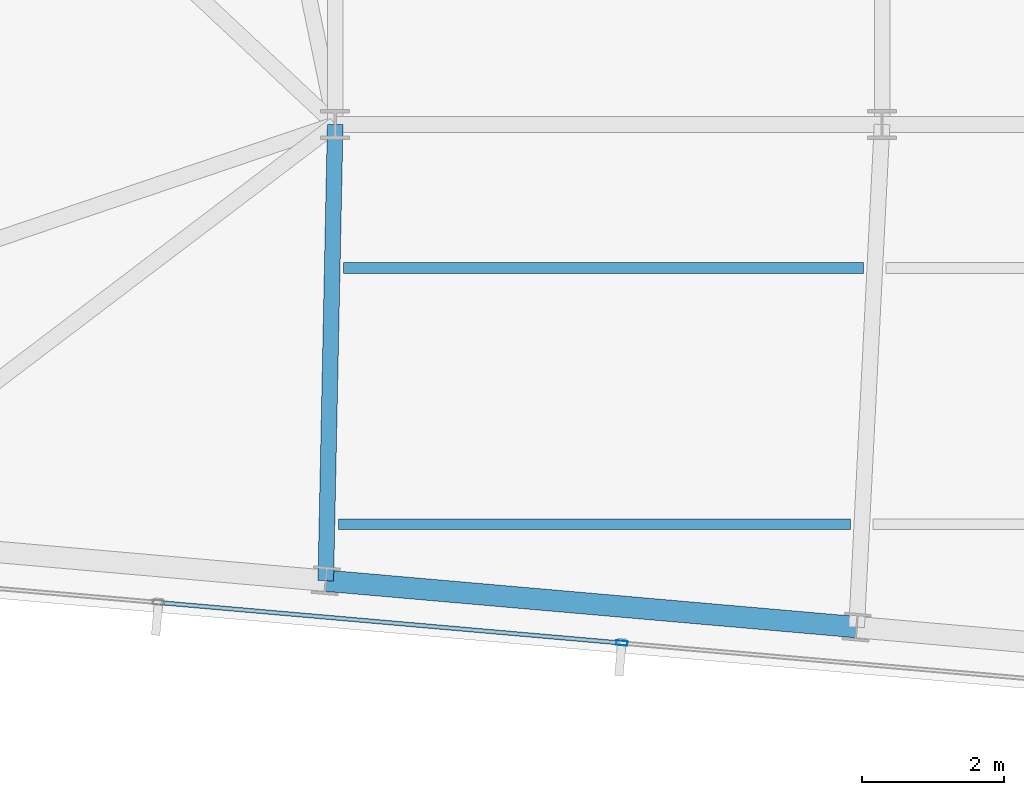
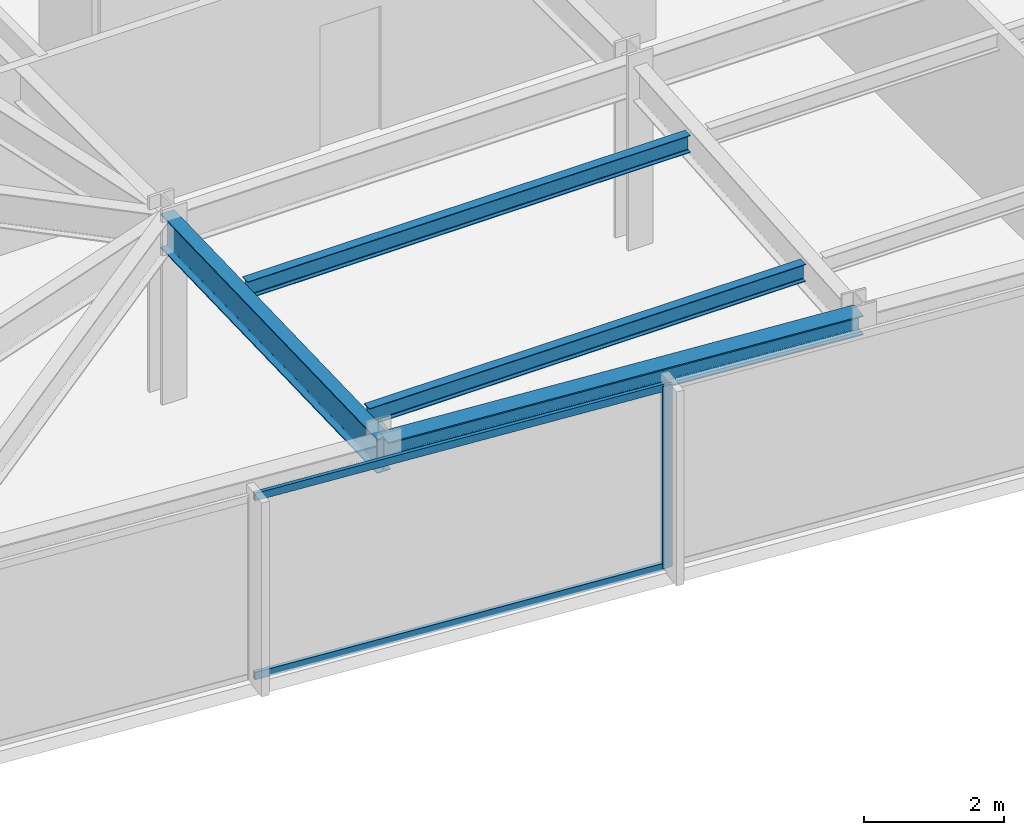
# One storey, part 6 of 32: 4 beams, 3 members, 1 element without a shape of its own.
"""IFC4 building model written with IfcOpenShell, lengths in metres."""

from ifc_helpers import new_model, si_unit, direction, frame, origin, origin_2d, place, context, subcontext, project, spatial, hollow_rectangle, i_section, extrude, material, material_profile, profile_set, type_object, element, aggregate, save


model = new_model("IFC4")

# Units and contexts
model_context = context("Model", 3, precision=1e-05, world=origin(), true_north=direction((0.0, 1.0)))
body_context = subcontext(model_context, "Body", "Model", "MODEL_VIEW")
ifc_project = project(units=[si_unit("LENGTHUNIT", "METRE"), si_unit("AREAUNIT", "SQUARE_METRE"), si_unit("VOLUMEUNIT", "CUBIC_METRE"), si_unit("PLANEANGLEUNIT", "RADIAN"), si_unit("MASSUNIT", "GRAM", prefix="KILO")], contexts=[model_context])

# Site, building, storey
site_placement = place(None, origin())
site = spatial("IfcSite", under=ifc_project, at=site_placement, CompositionType="ELEMENT")
building_placement = place(site_placement, origin())
building = spatial("IfcBuilding", under=site, at=building_placement, Name="Yelkora Congress Tower", CompositionType="ELEMENT")
storey_placement = place(building_placement, frame((0.0, 0.0, 293.10009765625)))
storey = spatial("IfcBuildingStorey", under=building, at=storey_placement, Name="L82", CompositionType="ELEMENT", Elevation=293.10009765625)

# Beams
ifc_material_1 = material(Name="Steel S355J2", Category="steel")
ifc_material_profile_1 = material_profile(ifc_material_1, i_section(OverallWidth=0.219970703125, OverallDepth=0.60009765625, WebThickness=0.011962890625, FlangeThickness=0.01904296875, FilletRadius=0.02392578125, at=origin_2d()), Name="IPE 600")
ifc_profile_set_1 = profile_set([ifc_material_profile_1], Name="Steel S355J2")
beam_type_1 = type_object("IfcBeamType", Name="BM-GIRD-IPE600", PredefinedType="BEAM", material=ifc_profile_set_1)
beam_1_placement = place(storey_placement, frame((22.90771484375, 18.793212890625, 2.8798828125), z_axis=(0.020649509667, 0.999786776143, 0.0), x_axis=(-0.999786776143, 0.020649509667, 0.0)))
element("IfcBeam", 1, at=beam_1_placement, inside=storey, type_object=beam_type_1, Name="L82 Primary Frame Girder S03", PredefinedType="BEAM", context=body_context, shape_type="SweptSolid", body=[
    extrude(i_section(OverallWidth=0.219970703125, OverallDepth=0.60009765625, WebThickness=0.011962890625, FlangeThickness=0.01904296875, FilletRadius=0.02392578125, at=origin_2d()), origin(), (0.0, 0.0, 1.0), 6.408203125),
])
ifc_material_profile_2 = material_profile(ifc_material_1, i_section(OverallWidth=0.14990234375, OverallDepth=0.300048828125, WebThickness=0.007080078125, FlangeThickness=0.0107421875, FilletRadius=0.014892578125, at=origin_2d()), Name="IPE 300")
ifc_profile_set_2 = profile_set([ifc_material_profile_2], Name="Steel S355J2")
beam_type_2 = type_object("IfcBeamType", Name="BM-JOIST-IPE300", PredefinedType="JOIST", material=ifc_profile_set_2)
beam_2_placement = place(storey_placement, frame((23.083984375, 19.58447265625, 3.02978515625), z_axis=(1.0, 0.0, 0.0), x_axis=(0.0, 1.0, 0.0)))
element("IfcBeam", 2, at=beam_2_placement, inside=storey, type_object=beam_type_2, Name="L82 Composite Floor Joist 1", PredefinedType="JOIST", context=body_context, shape_type="SweptSolid", body=[
    extrude(i_section(OverallWidth=0.14990234375, OverallDepth=0.300048828125, WebThickness=0.007080078125, FlangeThickness=0.0107421875, FilletRadius=0.014892578125, at=origin_2d()), origin(), (0.0, 0.0, 1.0), 7.191650390625),
])
beam_3_placement = place(storey_placement, frame((23.158447265625, 23.1845703125, 3.02978515625), z_axis=(1.0, 0.0, 0.0), x_axis=(0.0, 1.0, 0.0)))
element("IfcBeam", 3, at=beam_3_placement, inside=storey, type_object=beam_type_2, Name="L82 Composite Floor Joist 5", PredefinedType="JOIST", context=body_context, shape_type="SweptSolid", body=[
    extrude(i_section(OverallWidth=0.14990234375, OverallDepth=0.300048828125, WebThickness=0.007080078125, FlangeThickness=0.0107421875, FilletRadius=0.014892578125, at=origin_2d()), origin(), (0.0, 0.0, 1.0), 7.299560546875),
])
ifc_material_profile_3 = material_profile(ifc_material_1, i_section(OverallWidth=0.300048828125, OverallDepth=0.340087890625, WebThickness=0.011962890625, FlangeThickness=0.021484375, FilletRadius=0.027099609375, at=origin_2d()), Name="HEB 340")
ifc_profile_set_3 = profile_set([ifc_material_profile_3], Name="Steel S355J2")
beam_type_3 = type_object("IfcBeamType", Name="BM-SPAN-HEB340", PredefinedType="SPANDREL", material=ifc_profile_set_3)
beam_4_placement = place(storey_placement, frame((22.90771484375, 18.793212890625, 3.010009765625), z_axis=(0.99619601894, -0.087140644067, 0.0), x_axis=(0.087140644067, 0.99619601894, 0.0)))
element("IfcBeam", 4, at=beam_4_placement, inside=storey, type_object=beam_type_3, Name="L82 Perimeter Beam 3", PredefinedType="SPANDREL", context=body_context, shape_type="SweptSolid", body=[
    extrude(i_section(OverallWidth=0.300048828125, OverallDepth=0.340087890625, WebThickness=0.011962890625, FlangeThickness=0.021484375, FilletRadius=0.027099609375, at=origin_2d()), origin(), (0.0, 0.0, 1.0), 7.4833984375),
])

# Curtain wall, members
ifc_material_2 = material(Name="Anodised aluminium and insulated glass", Category="aluminium")
curtain_wall_type = type_object("IfcCurtainWallType", Name="CW-SYS-B5", PredefinedType="NOTDEFINED", material=ifc_material_2)
curtain_wall_placement = place(storey_placement, origin())
curtain_wall = element("IfcCurtainWall", 5, at=curtain_wall_placement, inside=storey, type_object=curtain_wall_type, Name="L82 Unitised Curtain Wall 20", PredefinedType="NOTDEFINED")
ifc_material_3 = material(Name="Anodised aluminium 6063-T6", Category="aluminium")
ifc_material_profile_4 = material_profile(ifc_material_3, hollow_rectangle(XDim=0.06494140625, YDim=0.159912109375, WallThickness=0.00390625, at=origin_2d()), Name="ALU 65x160x4")
ifc_profile_set_4 = profile_set([ifc_material_profile_4], Name="Anodised aluminium 6063-T6")
member_type_1 = type_object("IfcMemberType", Name="MEM-ML-B5", PredefinedType="MULLION", material=ifc_profile_set_4)
member_1_placement = place(storey_placement, frame((27.06494140625, 17.917724609375, 0.0), z_axis=(0.0, 0.0, 1.0), x_axis=(-0.087156829793, -0.996194602987, 0.0)))
member_1 = element("IfcMember", 6, at=member_1_placement, type_object=member_type_1, Name="CW-B5 mullion 5", PredefinedType="MULLION", context=body_context, shape_type="SweptSolid", body=[
    extrude(hollow_rectangle(XDim=0.06494140625, YDim=0.159912109375, WallThickness=0.00390625, at=origin_2d()), origin(), (0.0, 0.0, 1.0), 3.179931640625),
])
ifc_material_profile_5 = material_profile(ifc_material_3, hollow_rectangle(XDim=0.06005859375, YDim=0.1298828125, WallThickness=0.00390625, at=origin_2d()), Name="ALU 60x130x4")
ifc_profile_set_5 = profile_set([ifc_material_profile_5], Name="Anodised aluminium 6063-T6")
member_type_2 = type_object("IfcMemberType", Name="MEM-TR-B5", PredefinedType="USERDEFINED", material=ifc_profile_set_5)
member_2_placement = place(storey_placement, frame((27.032470703125, 17.920654296875, 0.02978515625), z_axis=(-0.996196257862, 0.087137912649, 0.0), x_axis=(-0.087137912649, -0.996196257862, 0.0)))
member_2 = element("IfcMember", 7, at=member_2_placement, type_object=member_type_2, Name="CW-B5 transom 5.1", ObjectType="TRANSOM", PredefinedType="USERDEFINED", context=body_context, shape_type="SweptSolid", body=[
    extrude(hollow_rectangle(XDim=0.06005859375, YDim=0.1298828125, WallThickness=0.00390625, at=origin_2d()), origin(), (0.0, 0.0, 1.0), 6.466552734375),
])
member_3_placement = place(storey_placement, frame((27.032470703125, 17.920654296875, 3.14990234375), z_axis=(-0.996196257862, 0.087137912649, 0.0), x_axis=(-0.087137912649, -0.996196257862, 0.0)))
member_3 = element("IfcMember", 8, at=member_3_placement, type_object=member_type_2, Name="CW-B5 transom 5.2", ObjectType="TRANSOM", PredefinedType="USERDEFINED", context=body_context, shape_type="SweptSolid", body=[
    extrude(hollow_rectangle(XDim=0.06005859375, YDim=0.1298828125, WallThickness=0.00390625, at=origin_2d()), origin(), (0.0, 0.0, 1.0), 6.466552734375),
])
aggregate(curtain_wall, [member_1, member_2, member_3])

save(model, "model.ifc")
